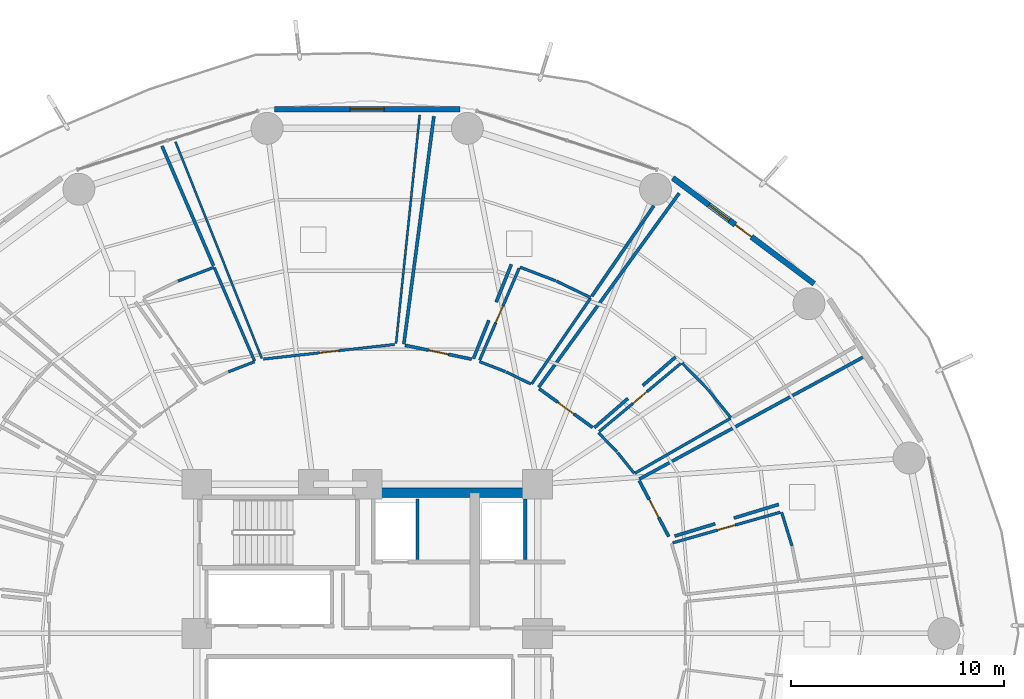
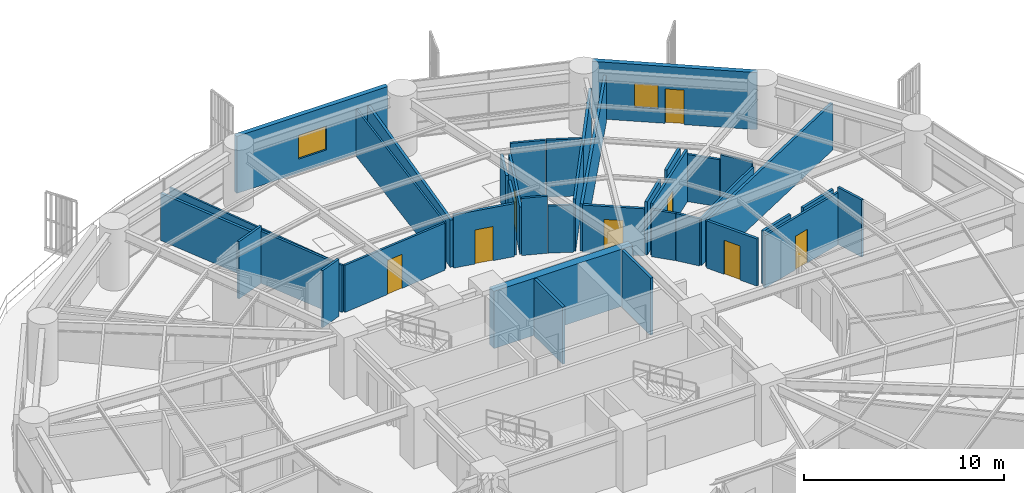
# One storey, part 25 of 32: 39 walls, 8 doors, 2 windows, 10 openings.
"""IFC4 building model written with IfcOpenShell, lengths in metres."""

from ifc_helpers import new_model, si_unit, direction, frame, frame_2d, origin, place, context, subcontext, project, spatial, rectangle, extrude, material, layer, layer_set, type_object, element, fill, save


model = new_model("IFC4")

# Units and contexts
model_context = context("Model", 3, precision=1e-05, world=origin(), true_north=direction((0.0, 1.0)))
body_context = subcontext(model_context, "Body", "Model", "MODEL_VIEW")
ifc_project = project(units=[si_unit("LENGTHUNIT", "METRE"), si_unit("AREAUNIT", "SQUARE_METRE"), si_unit("VOLUMEUNIT", "CUBIC_METRE"), si_unit("PLANEANGLEUNIT", "RADIAN"), si_unit("MASSUNIT", "GRAM", prefix="KILO")], contexts=[model_context])

# Site, building, storey
site_placement = place(None, origin())
site = spatial("IfcSite", under=ifc_project, at=site_placement, CompositionType="ELEMENT")
building_placement = place(site_placement, origin())
building = spatial("IfcBuilding", under=site, at=building_placement, Name="Kelanora Arch Commons", CompositionType="ELEMENT")
storey_placement = place(building_placement, frame((0.0, 0.0, 48.75)))
storey = spatial("IfcBuildingStorey", under=building, at=storey_placement, Name="L12", CompositionType="ELEMENT", Elevation=48.75)

# Walls
ifc_material_1 = material(Name="Autoclaved aerated concrete blockwork with fire plaster", Category="masonry")
ifc_layer_1 = layer(ifc_material_1, 0.14990234375)
ifc_layer_set_1 = layer_set([ifc_layer_1], Name="Autoclaved aerated concrete blockwork with fire plaster")
wall_type_1 = type_object("IfcWallType", Name="W-COMP-150", PredefinedType="PARTITIONING", material=ifc_layer_set_1)
for number, where, z_axis, x_axis, name in (
    (1, (76.360107421875, 61.47998046875, 0.0), (0.0, 0.0, 1.0), (0.0, 1.0, 0.0), "Firefighting Lift 1 East Shaft Wall L12"),
    (2, (81.419921875, 61.47998046875, 0.0), (0.0, 0.0, 1.0), (0.0, 1.0, 0.0), "Firefighting Lift 2 East Shaft Wall L12"),
):
    element("IfcWall", number, at=place(storey_placement, frame(where, z_axis=z_axis, x_axis=x_axis)), inside=storey, type_object=wall_type_1, Name=name, PredefinedType="PARTITIONING", context=body_context, shape_type="SweptSolid", body=[
        extrude(rectangle(XDim=2.840087890625, YDim=0.14990234375, at=frame_2d((1.419921875, 0.0))), origin(), (0.0, 0.0, 1.0), 3.47998046875),
    ])

# Wall, opening, door
wall_1_placement = place(storey_placement, frame((88.161865234375, 62.5458984375, 0.0), z_axis=(0.0, 0.0, 1.0), x_axis=(-0.467566881753, 0.883957697567, 0.0)))
wall_1 = element("IfcWall", 3, at=wall_1_placement, inside=storey, type_object=wall_type_1, Name="Co-Living Studio L12-01 Entry Partition", PredefinedType="PARTITIONING", context=body_context, shape_type="SweptSolid", body=[
    extrude(rectangle(XDim=2.97216796875, YDim=0.14990234375, at=frame_2d((1.486083984375, 0.0))), origin(), (0.0, 0.0, 1.0), 2.875),
])
opening_1_placement = place(wall_1_placement, frame((1.010986328125, 0.0, 0.0)))
opening_1 = element("IfcOpeningElement", 4, at=opening_1_placement, cuts=wall_1, Name="Opening D-CLU1", PredefinedType="OPENING", context=body_context, shape_type="SweptSolid", body=[
    extrude(rectangle(XDim=0.949951171875, YDim=2.080078125, at=frame_2d((0.47509765625, 1.0400390625))), frame((0.0, 0.0849609375, 0.0), z_axis=(0.0, -1.0, 0.0), x_axis=(1.0, 0.0, 0.0)), (0.0, 0.0, 1.0), 0.169921875),
])
ifc_material_2 = material(Name="Solid-core acoustic timber cluster entry fire door", Category="wood")
door_type_1 = type_object("IfcDoorType", Name="D-CLU-95", OperationType="NOTDEFINED", PredefinedType="DOOR", material=ifc_material_2)
door_1_placement = place(opening_1_placement, origin())
door_1 = element("IfcDoor", 5, at=door_1_placement, inside=storey, type_object=door_type_1, Name="Co-Living Studio L12-01 Door", OperationType="SINGLE_SWING_LEFT", OverallHeight=2.080078125, OverallWidth=0.949951171875, PredefinedType="DOOR", context=body_context, shape_type="SweptSolid", body=[
    extrude(rectangle(XDim=0.949951171875, YDim=2.080078125, at=frame_2d((0.47509765625, 1.0400390625))), frame((0.0, 0.02490234375, 0.0), z_axis=(0.0, -1.0, 0.0), x_axis=(1.0, 0.0, 0.0)), (0.0, 0.0, 1.0), 0.050048828125),
])
fill(opening_1, door_1)

wall_2_placement = place(storey_placement, frame((84.58642578125, 67.667236328125, 0.0), z_axis=(0.0, 0.0, 1.0), x_axis=(-0.80951419377, 0.587100306664, 0.0)))
wall_2 = element("IfcWall", 6, at=wall_2_placement, inside=storey, type_object=wall_type_1, Name="Co-Living Studio L12-02 Entry Partition", PredefinedType="PARTITIONING", context=body_context, shape_type="SweptSolid", body=[
    extrude(rectangle(XDim=3.104248046875, YDim=0.14990234375, at=frame_2d((1.55224609375, 0.0))), origin(), (0.0, 0.0, 1.0), 2.875),
])
opening_2_placement = place(wall_2_placement, frame((1.076904296875, 0.0, 0.0)))
opening_2 = element("IfcOpeningElement", 7, at=opening_2_placement, cuts=wall_2, Name="Opening D-CLU1", PredefinedType="OPENING", context=body_context, shape_type="SweptSolid", body=[
    extrude(rectangle(XDim=0.949951171875, YDim=2.080078125, at=frame_2d((0.47509765625, 1.0400390625))), frame((0.0, 0.0849609375, 0.0), z_axis=(0.0, -1.0, 0.0), x_axis=(1.0, 0.0, 0.0)), (0.0, 0.0, 1.0), 0.169921875),
])
door_2_placement = place(opening_2_placement, origin())
door_2 = element("IfcDoor", 8, at=door_2_placement, inside=storey, type_object=door_type_1, Name="Co-Living Studio L12-02 Door", OperationType="SINGLE_SWING_LEFT", OverallHeight=2.080078125, OverallWidth=0.949951171875, PredefinedType="DOOR", context=body_context, shape_type="SweptSolid", body=[
    extrude(rectangle(XDim=0.949951171875, YDim=2.080078125, at=frame_2d((0.47509765625, 1.0400390625))), frame((0.0, 0.02490234375, 0.0), z_axis=(0.0, -1.0, 0.0), x_axis=(1.0, 0.0, 0.0)), (0.0, 0.0, 1.0), 0.050048828125),
])
fill(opening_2, door_2)

wall_3_placement = place(storey_placement, frame((78.914306640625, 70.874267578125, 0.0), z_axis=(0.0, 0.0, 1.0), x_axis=(-0.978952544969, 0.204088007237, 0.0)))
wall_3 = element("IfcWall", 9, at=wall_3_placement, inside=storey, type_object=wall_type_1, Name="Co-Living Studio L12-03 Entry Partition", PredefinedType="PARTITIONING", context=body_context, shape_type="SweptSolid", body=[
    extrude(rectangle(XDim=3.20703125, YDim=0.14990234375, at=frame_2d((1.603515625, 0.0))), origin(), (0.0, 0.0, 1.0), 3.235107421875),
])
opening_3_placement = place(wall_3_placement, frame((1.12890625, 0.0, 0.0)))
opening_3 = element("IfcOpeningElement", 10, at=opening_3_placement, cuts=wall_3, Name="Opening D-CLU1", PredefinedType="OPENING", context=body_context, shape_type="SweptSolid", body=[
    extrude(rectangle(XDim=0.949951171875, YDim=2.080078125, at=frame_2d((0.47509765625, 1.0400390625))), frame((0.0, 0.0849609375, 0.0), z_axis=(0.0, -1.0, 0.0), x_axis=(1.0, 0.0, 0.0)), (0.0, 0.0, 1.0), 0.169921875),
])
door_3_placement = place(opening_3_placement, origin())
door_3 = element("IfcDoor", 11, at=door_3_placement, inside=storey, type_object=door_type_1, Name="Co-Living Studio L12-03 Door", OperationType="SINGLE_SWING_LEFT", OverallHeight=2.080078125, OverallWidth=0.949951171875, PredefinedType="DOOR", context=body_context, shape_type="SweptSolid", body=[
    extrude(rectangle(XDim=0.949951171875, YDim=2.080078125, at=frame_2d((0.47509765625, 1.0400390625))), frame((0.0, 0.02490234375, 0.0), z_axis=(0.0, -1.0, 0.0), x_axis=(1.0, 0.0, 0.0)), (0.0, 0.0, 1.0), 0.050048828125),
])
fill(opening_3, door_3)

# Walls
wall_4_placement = place(storey_placement, frame((86.779052734375, 65.2451171875, 0.0), z_axis=(0.0, 0.0, 1.0), x_axis=(0.878114235828, 0.478451030761, 0.0)))
element("IfcWall", 12, at=wall_4_placement, inside=storey, type_object=wall_type_1, Name="Co-Living Studio L12-01 Enclosure Partition 2", PredefinedType="PARTITIONING", context=body_context, shape_type="SweptSolid", body=[
    extrude(rectangle(XDim=11.9423828125, YDim=0.14990234375, at=frame_2d((5.97119140625, 0.0))), origin(), (0.0, 0.0, 1.0), 2.875),
])
wall_5_placement = place(storey_placement, frame((93.32373046875, 64.055419921875, 0.0), z_axis=(0.0, 0.0, 1.0), x_axis=(-0.956656385618, -0.291219092533, 0.0)))
element("IfcWall", 13, at=wall_5_placement, inside=storey, type_object=wall_type_1, Name="Co-Living Studio L12-01 Enclosure Partition 7", PredefinedType="PARTITIONING", context=body_context, shape_type="SweptSolid", body=[
    extrude(rectangle(XDim=2.197265625, YDim=0.14990234375, at=frame_2d((1.0986328125, 0.0))), origin(), (0.0, 0.0, 1.0), 3.175048828125),
])
wall_6_placement = place(storey_placement, frame((90.34130859375, 63.147705078125, 0.0), z_axis=(0.0, 0.0, 1.0), x_axis=(-0.956672396934, -0.291166490078, 0.0)))
element("IfcWall", 14, at=wall_6_placement, inside=storey, type_object=wall_type_1, Name="Co-Living Studio L12-01 Enclosure Partition 7", PredefinedType="PARTITIONING", context=body_context, shape_type="SweptSolid", body=[
    extrude(rectangle(XDim=1.9931640625, YDim=0.14990234375, at=frame_2d((0.99658203125, 0.0))), origin(), (0.0, 0.0, 1.0), 3.235107421875),
])
wall_7_placement = place(storey_placement, frame((82.048583984375, 69.557373046875, 0.0), z_axis=(0.0, 0.0, 1.0), x_axis=(0.586718941426, 0.809790641939, 0.0)))
element("IfcWall", 15, at=wall_7_placement, inside=storey, type_object=wall_type_1, Name="Co-Living Studio L12-02 Enclosure Partition 2", PredefinedType="PARTITIONING", context=body_context, shape_type="SweptSolid", body=[
    extrude(rectangle(XDim=11.248779296875, YDim=0.14990234375, at=frame_2d((5.62451171875, 0.0))), origin(), (0.0, 0.0, 1.0), 2.875),
])
wall_8_placement = place(storey_placement, frame((88.480712890625, 70.978759765625, 0.0), z_axis=(0.0, 0.0, 1.0), x_axis=(-0.754356172394, -0.656465357176, 0.0)))
element("IfcWall", 16, at=wall_8_placement, inside=storey, type_object=wall_type_1, Name="Co-Living Studio L12-02 Enclosure Partition 7", PredefinedType="PARTITIONING", context=body_context, shape_type="SweptSolid", body=[
    extrude(rectangle(XDim=2.045166015625, YDim=0.14990234375, at=frame_2d((1.0224609375, 0.0))), origin(), (0.0, 0.0, 1.0), 3.175048828125),
])
wall_9_placement = place(storey_placement, frame((86.243896484375, 69.031982421875, 0.0), z_axis=(0.0, 0.0, 1.0), x_axis=(-0.754351792987, -0.656470389597, 0.0)))
element("IfcWall", 17, at=wall_9_placement, inside=storey, type_object=wall_type_1, Name="Co-Living Studio L12-02 Enclosure Partition 7", PredefinedType="PARTITIONING", context=body_context, shape_type="SweptSolid", body=[
    extrude(rectangle(XDim=2.0927734375, YDim=0.14990234375, at=frame_2d((1.04638671875, 0.0))), origin(), (0.0, 0.0, 1.0), 3.235107421875),
])
wall_10_placement = place(storey_placement, frame((75.72119140625, 71.580810546875, 0.0), z_axis=(0.0, 0.0, 1.0), x_axis=(0.130800348515, 0.991408729449, 0.0)))
element("IfcWall", 18, at=wall_10_placement, inside=storey, type_object=wall_type_1, Name="Co-Living Studio L12-03 Enclosure Partition 2", PredefinedType="PARTITIONING", context=body_context, shape_type="SweptSolid", body=[
    extrude(rectangle(XDim=10.792236328125, YDim=0.14990234375, at=frame_2d((5.39599609375, 0.0))), origin(), (0.0, 0.0, 1.0), 2.875),
])
wall_11_placement = place(storey_placement, frame((87.462646484375, 78.082763671875, 0.0), z_axis=(0.0, 0.0, 1.0), x_axis=(-0.565642433627, -0.824650615279, 0.0)))
element("IfcWall", 19, at=wall_11_placement, inside=storey, type_object=wall_type_1, Name="Co-Living Studio L12-03 Enclosure Partition 5", PredefinedType="PARTITIONING", context=body_context, shape_type="SweptSolid", body=[
    extrude(rectangle(XDim=5.156982421875, YDim=0.14990234375, at=frame_2d((2.57861328125, 0.0))), origin(), (0.0, 0.0, 1.0), 2.875),
])
wall_12_placement = place(storey_placement, frame((80.77099609375, 75.329833984375, 0.0), z_axis=(0.0, 0.0, 1.0), x_axis=(-0.373257508911, -0.927727779061, 0.0)))
element("IfcWall", 20, at=wall_12_placement, inside=storey, type_object=wall_type_1, Name="Co-Living Studio L12-03 Enclosure Partition 7", PredefinedType="PARTITIONING", context=body_context, shape_type="SweptSolid", body=[
    extrude(rectangle(XDim=1.915771484375, YDim=0.14990234375, at=frame_2d((0.9580078125, 0.0))), origin(), (0.0, 0.0, 1.0), 2.875),
])
wall_13_placement = place(storey_placement, frame((79.712158203125, 72.69873046875, 0.0), z_axis=(0.0, 0.0, 1.0), x_axis=(-0.373407797427, -0.927667298562, 0.0)))
element("IfcWall", 21, at=wall_13_placement, inside=storey, type_object=wall_type_1, Name="Co-Living Studio L12-03 Enclosure Partition 7", PredefinedType="PARTITIONING", context=body_context, shape_type="SweptSolid", body=[
    extrude(rectangle(XDim=1.93994140625, YDim=0.14990234375, at=frame_2d((0.969970703125, 0.0))), origin(), (0.0, 0.0, 1.0), 3.235107421875),
])
wall_14_placement = place(storey_placement, frame((64.36669921875, 80.88427734375, 0.0), z_axis=(0.0, 0.0, 1.0), x_axis=(0.395282873179, -0.918559442917, 0.0)))
element("IfcWall", 22, at=wall_14_placement, inside=storey, type_object=wall_type_1, Name="Co-Living Studio L12-05 Enclosure Partition 5", PredefinedType="PARTITIONING", context=body_context, shape_type="SweptSolid", body=[
    extrude(rectangle(XDim=6.11328125, YDim=0.14990234375, at=frame_2d((3.056640625, 0.0))), origin(), (0.0, 0.0, 1.0), 2.875),
])
ifc_material_3 = material(Name="Concrete C60/75", Category="concrete")
ifc_layer_2 = layer(ifc_material_3, 0.449951171875)
ifc_layer_set_2 = layer_set([ifc_layer_2], Name="Concrete C60/75")
wall_type_2 = type_object("IfcWallType", Name="W-CORE-450", PredefinedType="SHEAR", material=ifc_layer_set_2)
wall_15_placement = place(storey_placement, frame((74.0, 64.60009765625, 0.0), z_axis=(0.0, 0.0, 1.0), x_axis=(1.0, 0.0, 0.0)))
element("IfcWall", 23, at=wall_15_placement, inside=storey, type_object=wall_type_2, Name="Core Shear Spine L12-CN-E", PredefinedType="SHEAR", context=body_context, shape_type="SweptSolid", body=[
    extrude(rectangle(XDim=8.0, YDim=0.449951171875, at=frame_2d((4.0, 0.0))), origin(), (0.0, 0.0, 1.0), 3.489990234375),
])

# Wall, openings, door, window
ifc_material_4 = material(Name="Precast concrete C40/50 with terracotta rainscreen", Category="masonry")
ifc_layer_3 = layer(ifc_material_4, 0.260009765625)
ifc_layer_set_3 = layer_set([ifc_layer_3], Name="Precast concrete C40/50 with terracotta rainscreen")
wall_type_3 = type_object("IfcWallType", Name="W-EXT-TC", PredefinedType="SOLIDWALL", material=ifc_layer_set_3)
wall_16_placement = place(storey_placement, frame((94.98388671875, 74.418212890625, 0.0), z_axis=(0.0, 0.0, 1.0), x_axis=(-0.80030733173, 0.599590005569, 0.0)))
wall_16 = element("IfcWall", 24, at=wall_16_placement, inside=storey, type_object=wall_type_3, Name="Terracotta Exterior Wall L12-B02", PredefinedType="SOLIDWALL", context=body_context, shape_type="SweptSolid", body=[
    extrude(rectangle(XDim=8.29052734375, YDim=0.260009765625, at=frame_2d((4.145263671875, 0.0))), origin(), (0.0, 0.0, 1.0), 3.47509765625),
])
opening_4_placement = place(wall_16_placement, frame((3.669921875, 0.0, 0.0)))
opening_4 = element("IfcOpeningElement", 25, at=opening_4_placement, cuts=wall_16, Name="Opening DB-01", PredefinedType="OPENING", context=body_context, shape_type="SweptSolid", body=[
    extrude(rectangle(XDim=0.949951171875, YDim=2.10009765625, at=frame_2d((0.47509765625, 1.050048828125))), frame((0.0, 0.14013671875, 0.0), z_axis=(0.0, -1.0, 0.0), x_axis=(1.0, 0.0, 0.0)), (0.0, 0.0, 1.0), 0.280029296875),
])
opening_5_placement = place(wall_16_placement, frame((4.969970703125, 0.0, 0.85009765625)))
opening_5 = element("IfcOpeningElement", 26, at=opening_5_placement, cuts=wall_16, Name="Opening WN-02", PredefinedType="OPENING", context=body_context, shape_type="SweptSolid", body=[
    extrude(rectangle(XDim=1.199951171875, YDim=1.449951171875, at=frame_2d((0.60009765625, 0.72509765625))), frame((0.0, 0.14013671875, 0.0), z_axis=(0.0, -1.0, 0.0), x_axis=(1.0, 0.0, 0.0)), (0.0, 0.0, 1.0), 0.280029296875),
])
ifc_material_5 = material(Name="Terracotta-aluminium thermally broken glazed balcony door", Category="masonry")
door_type_2 = type_object("IfcDoorType", Name="D-BAL-10", OperationType="NOTDEFINED", PredefinedType="DOOR", material=ifc_material_5)
door_4_placement = place(opening_4_placement, frame((0.949951171875, 0.0, 0.0), z_axis=(0.0, 0.0, 1.0), x_axis=(-1.0, 0.0, 0.0)))
door_4 = element("IfcDoor", 27, at=door_4_placement, inside=storey, type_object=door_type_2, Name="Wave Balcony Door L12-B02", OperationType="SINGLE_SWING_LEFT", OverallHeight=2.10009765625, OverallWidth=0.949951171875, PredefinedType="DOOR", context=body_context, shape_type="SweptSolid", body=[
    extrude(rectangle(XDim=0.949951171875, YDim=2.10009765625, at=frame_2d((0.47509765625, 1.050048828125))), frame((0.0, 0.02490234375, 0.0), z_axis=(0.0, -1.0, 0.0), x_axis=(1.0, 0.0, 0.0)), (0.0, 0.0, 1.0), 0.050048828125),
])
fill(opening_4, door_4)
ifc_material_6 = material(Name="Terracotta-anodised aluminium frame with operable awning sash", Category="masonry")
window_type_1 = type_object("IfcWindowType", Name="WIN-CL-12", PartitioningType="SINGLE_PANEL", PredefinedType="WINDOW", material=ifc_material_6)
window_1_placement = place(opening_5_placement, origin())
window_1 = element("IfcWindow", 28, at=window_1_placement, inside=storey, type_object=window_type_1, Name="Co-Living Operable Window L12-B02", OverallHeight=1.449951171875, OverallWidth=1.199951171875, PartitioningType="SINGLE_PANEL", PredefinedType="WINDOW", context=body_context, shape_type="SweptSolid", body=[
    extrude(rectangle(XDim=1.199951171875, YDim=1.449951171875, at=frame_2d((0.60009765625, 0.72509765625))), frame((0.0, 0.030029296875, 0.0), z_axis=(0.0, -1.0, 0.0), x_axis=(1.0, 0.0, 0.0)), (0.0, 0.0, 1.0), 0.06005859375),
])
fill(opening_5, window_1)

# Wall, opening, window
wall_17_placement = place(storey_placement, frame((78.35595703125, 82.6201171875, 0.0), z_axis=(0.0, 0.0, 1.0), x_axis=(-1.0, 0.0, 0.0)))
wall_17 = element("IfcWall", 29, at=wall_17_placement, inside=storey, type_object=wall_type_3, Name="Terracotta Exterior Wall L12-B04", PredefinedType="SOLIDWALL", context=body_context, shape_type="SweptSolid", body=[
    extrude(rectangle(XDim=8.7119140625, YDim=0.260009765625, at=frame_2d((4.35595703125, 0.0))), origin(), (0.0, 0.0, 1.0), 3.47509765625),
])
opening_6_placement = place(wall_17_placement, frame((3.555908203125, 0.0, 0.85009765625)))
opening_6 = element("IfcOpeningElement", 30, at=opening_6_placement, cuts=wall_17, Name="Opening WN-01", PredefinedType="OPENING", context=body_context, shape_type="SweptSolid", body=[
    extrude(rectangle(XDim=1.60009765625, YDim=1.449951171875, at=frame_2d((0.800048828125, 0.72509765625))), frame((0.0, 0.14013671875, 0.0), z_axis=(0.0, -1.0, 0.0), x_axis=(1.0, 0.0, 0.0)), (0.0, 0.0, 1.0), 0.280029296875),
])
ifc_material_7 = material(Name="Terracotta-anodised aluminium frame with operable low-E glazing", Category="masonry")
window_type_2 = type_object("IfcWindowType", Name="WIN-CL-18", PartitioningType="DOUBLE_PANEL_VERTICAL", PredefinedType="WINDOW", material=ifc_material_7)
window_2_placement = place(opening_6_placement, origin())
window_2 = element("IfcWindow", 31, at=window_2_placement, inside=storey, type_object=window_type_2, Name="Co-Living Operable Window L12-B04", OverallHeight=1.449951171875, OverallWidth=1.60009765625, PartitioningType="SINGLE_PANEL", PredefinedType="WINDOW", context=body_context, shape_type="SweptSolid", body=[
    extrude(rectangle(XDim=1.60009765625, YDim=1.449951171875, at=frame_2d((0.800048828125, 0.72509765625))), frame((0.0, 0.030029296875, 0.0), z_axis=(0.0, -1.0, 0.0), x_axis=(1.0, 0.0, 0.0)), (0.0, 0.0, 1.0), 0.06005859375),
])
fill(opening_6, window_2)

# Walls
ifc_material_8 = material(Name="Lightweight fire-rated acoustic stud partition")
ifc_layer_4 = layer(ifc_material_8, 0.10009765625)
ifc_layer_set_4 = layer_set([ifc_layer_4], Name="Lightweight fire-rated acoustic stud partition")
wall_type_4 = type_object("IfcWallType", Name="W-PART-100", PredefinedType="PARTITIONING", material=ifc_layer_set_4)
wall_18_placement = place(storey_placement, frame((69.05322265625, 70.912109375, 0.0), z_axis=(0.0, 0.0, 1.0), x_axis=(-0.370325956987, 0.928901870803, 0.0)))
element("IfcWall", 32, at=wall_18_placement, inside=storey, type_object=wall_type_4, Name="Communal Dining and Social Hall L12-04 Enclosure Partition 2", PredefinedType="PARTITIONING", context=body_context, shape_type="SweptSolid", body=[
    extrude(rectangle(XDim=10.95361328125, YDim=0.10009765625, at=frame_2d((5.476806640625, 0.0))), origin(), (0.0, 0.0, 1.0), 2.875),
])
wall_19_placement = place(storey_placement, frame((76.4658203125, 82.34130859375, 0.0), z_axis=(0.0, 0.0, 1.0), x_axis=(-0.103008831227, -0.994680441493, 0.0)))
element("IfcWall", 33, at=wall_19_placement, inside=storey, type_object=wall_type_4, Name="Communal Dining and Social Hall L12-04 Enclosure Partition 4", PredefinedType="PARTITIONING", context=body_context, shape_type="SweptSolid", body=[
    extrude(rectangle(XDim=10.783935546875, YDim=0.10009765625, at=frame_2d((5.39208984375, 0.0))), origin(), (0.0, 0.0, 1.0), 2.875),
])

# Wall, opening, door
ifc_material_9 = material(Name="Acoustic twin-stud fire-rated gypsum partition")
ifc_layer_5 = layer(ifc_material_9, 0.1201171875)
ifc_layer_set_5 = layer_set([ifc_layer_5], Name="Acoustic twin-stud fire-rated gypsum partition")
wall_type_5 = type_object("IfcWallType", Name="W-PART-120", PredefinedType="PARTITIONING", material=ifc_layer_set_5)
wall_20_placement = place(storey_placement, frame((75.29150390625, 71.568359375, 0.0), z_axis=(0.0, 0.0, 1.0), x_axis=(-0.993850084324, -0.110733959964, 0.0)))
wall_20 = element("IfcWall", 34, at=wall_20_placement, inside=storey, type_object=wall_type_5, Name="Communal Dining and Social Hall L12-04 Entry Partition", PredefinedType="PARTITIONING", context=body_context, shape_type="SweptSolid", body=[
    extrude(rectangle(XDim=6.201904296875, YDim=0.1201171875, at=frame_2d((3.10107421875, 0.0))), origin(), (0.0, 0.0, 1.0), 2.875),
])
opening_7_placement = place(wall_20_placement, frame((2.65087890625, 0.0, 0.0)))
opening_7 = element("IfcOpeningElement", 35, at=opening_7_placement, cuts=wall_20, Name="Opening D-RM1", PredefinedType="OPENING", context=body_context, shape_type="SweptSolid", body=[
    extrude(rectangle(XDim=0.89990234375, YDim=2.080078125, at=frame_2d((0.449951171875, 1.0400390625))), frame((0.0, 0.070068359375, 0.0), z_axis=(0.0, -1.0, 0.0), x_axis=(1.0, 0.0, 0.0)), (0.0, 0.0, 1.0), 0.14013671875),
])
ifc_material_10 = material(Name="Acoustic fire-rated timber study and lounge door", Category="wood")
door_type_3 = type_object("IfcDoorType", Name="D-ROOM-90", OperationType="NOTDEFINED", PredefinedType="DOOR", material=ifc_material_10)
door_5_placement = place(opening_7_placement, origin())
door_5 = element("IfcDoor", 36, at=door_5_placement, inside=storey, type_object=door_type_3, Name="Communal Dining and Social Hall L12-04 Door", OperationType="SINGLE_SWING_RIGHT", OverallHeight=2.080078125, OverallWidth=0.89990234375, PredefinedType="DOOR", context=body_context, shape_type="SweptSolid", body=[
    extrude(rectangle(XDim=0.89990234375, YDim=2.080078125, at=frame_2d((0.449951171875, 1.0400390625))), frame((0.0, 0.02490234375, 0.0), z_axis=(0.0, -1.0, 0.0), x_axis=(1.0, 0.0, 0.0)), (0.0, 0.0, 1.0), 0.050048828125),
])
fill(opening_7, door_5)

ifc_material_11 = material(Name="Moisture-resistant fire-rated cement-board plumbing wall")
ifc_layer_6 = layer(ifc_material_11, 0.1298828125)
ifc_layer_set_6 = layer_set([ifc_layer_6], Name="Moisture-resistant fire-rated cement-board plumbing wall")
wall_type_6 = type_object("IfcWallType", Name="W-WET-120", PredefinedType="PLUMBINGWALL", material=ifc_layer_set_6)
wall_21_placement = place(storey_placement, frame((88.34375, 62.25048828125, 0.0), z_axis=(0.0, 0.0, 1.0), x_axis=(0.961805744602, 0.273732916636, 0.0)))
wall_21 = element("IfcWall", 37, at=wall_21_placement, inside=storey, type_object=wall_type_6, Name="En-Suite Shower WC L12-01 Entry Partition", PredefinedType="PLUMBINGWALL", context=body_context, shape_type="SweptSolid", body=[
    extrude(rectangle(XDim=5.254150390625, YDim=0.1298828125, at=frame_2d((2.626953125, 0.0))), origin(), (0.0, 0.0, 1.0), 3.175048828125),
])
opening_8_placement = place(wall_21_placement, frame((2.197021484375, 0.0, 0.0)))
opening_8 = element("IfcOpeningElement", 38, at=opening_8_placement, cuts=wall_21, Name="Opening D-BT1", PredefinedType="OPENING", context=body_context, shape_type="SweptSolid", body=[
    extrude(rectangle(XDim=0.860107421875, YDim=2.050048828125, at=frame_2d((0.43017578125, 1.02490234375))), frame((0.0, 0.074951171875, 0.0), z_axis=(0.0, -1.0, 0.0), x_axis=(1.0, 0.0, 0.0)), (0.0, 0.0, 1.0), 0.14990234375),
])
ifc_material_12 = material(Name="Moisture-sealed fire-rated accessible bathroom door")
door_type_4 = type_object("IfcDoorType", Name="D-BATH-85", OperationType="NOTDEFINED", PredefinedType="DOOR", material=ifc_material_12)
door_6_placement = place(opening_8_placement, origin())
door_6 = element("IfcDoor", 39, at=door_6_placement, inside=storey, type_object=door_type_4, Name="En-Suite Shower WC L12-01 Door", OperationType="SINGLE_SWING_RIGHT", OverallHeight=2.050048828125, OverallWidth=0.860107421875, PredefinedType="DOOR", context=body_context, shape_type="SweptSolid", body=[
    extrude(rectangle(XDim=0.860107421875, YDim=2.050048828125, at=frame_2d((0.43017578125, 1.02490234375))), frame((0.0, 0.02490234375, 0.0), z_axis=(0.0, -1.0, 0.0), x_axis=(1.0, 0.0, 0.0)), (0.0, 0.0, 1.0), 0.050048828125),
])
fill(opening_8, door_6)

wall_22_placement = place(storey_placement, frame((84.89208984375, 67.474609375, 0.0), z_axis=(0.0, 0.0, 1.0), x_axis=(0.767551433238, 0.64098736129, 0.0)))
wall_22 = element("IfcWall", 40, at=wall_22_placement, inside=storey, type_object=wall_type_6, Name="En-Suite Shower WC L12-02 Entry Partition", PredefinedType="PLUMBINGWALL", context=body_context, shape_type="SweptSolid", body=[
    extrude(rectangle(XDim=4.9921875, YDim=0.1298828125, at=frame_2d((2.49609375, 0.0))), origin(), (0.0, 0.0, 1.0), 3.175048828125),
])
opening_9_placement = place(wall_22_placement, frame((2.06591796875, 0.0, 0.0)))
opening_9 = element("IfcOpeningElement", 41, at=opening_9_placement, cuts=wall_22, Name="Opening D-BT1", PredefinedType="OPENING", context=body_context, shape_type="SweptSolid", body=[
    extrude(rectangle(XDim=0.860107421875, YDim=2.050048828125, at=frame_2d((0.43017578125, 1.02490234375))), frame((0.0, 0.074951171875, 0.0), z_axis=(0.0, -1.0, 0.0), x_axis=(1.0, 0.0, 0.0)), (0.0, 0.0, 1.0), 0.14990234375),
])
door_7_placement = place(opening_9_placement, origin())
door_7 = element("IfcDoor", 42, at=door_7_placement, inside=storey, type_object=door_type_4, Name="En-Suite Shower WC L12-02 Door", OperationType="SINGLE_SWING_RIGHT", OverallHeight=2.050048828125, OverallWidth=0.860107421875, PredefinedType="DOOR", context=body_context, shape_type="SweptSolid", body=[
    extrude(rectangle(XDim=0.860107421875, YDim=2.050048828125, at=frame_2d((0.43017578125, 1.02490234375))), frame((0.0, 0.02490234375, 0.0), z_axis=(0.0, -1.0, 0.0), x_axis=(1.0, 0.0, 0.0)), (0.0, 0.0, 1.0), 0.050048828125),
])
fill(opening_9, door_7)

wall_23_placement = place(storey_placement, frame((79.280517578125, 70.82421875, 0.0), z_axis=(0.0, 0.0, 1.0), x_axis=(0.394194788946, 0.919026913843, 0.0)))
wall_23 = element("IfcWall", 43, at=wall_23_placement, inside=storey, type_object=wall_type_6, Name="En-Suite Shower WC L12-03 Entry Partition", PredefinedType="PLUMBINGWALL", context=body_context, shape_type="SweptSolid", body=[
    extrude(rectangle(XDim=4.705810546875, YDim=0.1298828125, at=frame_2d((2.35302734375, 0.0))), origin(), (0.0, 0.0, 1.0), 2.875),
])
opening_10_placement = place(wall_23_placement, frame((1.923095703125, 0.0, 0.0)))
opening_10 = element("IfcOpeningElement", 44, at=opening_10_placement, cuts=wall_23, Name="Opening D-BT1", PredefinedType="OPENING", context=body_context, shape_type="SweptSolid", body=[
    extrude(rectangle(XDim=0.860107421875, YDim=2.050048828125, at=frame_2d((0.43017578125, 1.02490234375))), frame((0.0, 0.074951171875, 0.0), z_axis=(0.0, -1.0, 0.0), x_axis=(1.0, 0.0, 0.0)), (0.0, 0.0, 1.0), 0.14990234375),
])
door_8_placement = place(opening_10_placement, origin())
door_8 = element("IfcDoor", 45, at=door_8_placement, inside=storey, type_object=door_type_4, Name="En-Suite Shower WC L12-03 Door", OperationType="SINGLE_SWING_RIGHT", OverallHeight=2.050048828125, OverallWidth=0.860107421875, PredefinedType="DOOR", context=body_context, shape_type="SweptSolid", body=[
    extrude(rectangle(XDim=0.860107421875, YDim=2.050048828125, at=frame_2d((0.43017578125, 1.02490234375))), frame((0.0, 0.02490234375, 0.0), z_axis=(0.0, -1.0, 0.0), x_axis=(1.0, 0.0, 0.0)), (0.0, 0.0, 1.0), 0.050048828125),
])
fill(opening_10, door_8)

# Walls
wall_24_placement = place(storey_placement, frame((93.4609375, 63.685791015625, 0.0), z_axis=(0.0, 0.0, 1.0), x_axis=(0.295079059694, -0.955472840289, 0.0)))
element("IfcWall", 46, at=wall_24_placement, inside=storey, type_object=wall_type_6, Name="En-Suite Shower WC L12-01 Enclosure Partition 4", PredefinedType="PLUMBINGWALL", context=body_context, shape_type="SweptSolid", body=[
    extrude(rectangle(XDim=1.640625, YDim=0.1298828125, at=frame_2d((0.8203125, 0.0))), origin(), (0.0, 0.0, 1.0), 3.47998046875),
])
wall_25_placement = place(storey_placement, frame((86.533447265625, 65.521484375, 0.0), z_axis=(0.0, 0.0, 1.0), x_axis=(-0.625509784914, 0.780216321912, 0.0)))
element("IfcWall", 47, at=wall_25_placement, inside=storey, type_object=wall_type_6, Name="En-Suite Shower WC L12-02 Enclosure Partition 1", PredefinedType="PLUMBINGWALL", context=body_context, shape_type="SweptSolid", body=[
    extrude(rectangle(XDim=1.241943359375, YDim=0.1298828125, at=frame_2d((0.62109375, 0.0))), origin(), (0.0, 0.0, 1.0), 2.875),
])
wall_26_placement = place(storey_placement, frame((85.72998046875, 66.5205078125, 0.0), z_axis=(0.0, 0.0, 1.0), x_axis=(-0.694622338853, 0.719374593913, 0.0)))
element("IfcWall", 48, at=wall_26_placement, inside=storey, type_object=wall_type_6, Name="En-Suite Shower WC L12-02 Enclosure Partition 2", PredefinedType="PLUMBINGWALL", context=body_context, shape_type="SweptSolid", body=[
    extrude(rectangle(XDim=1.252685546875, YDim=0.1298828125, at=frame_2d((0.62646484375, 0.0))), origin(), (0.0, 0.0, 1.0), 2.875),
])
wall_27_placement = place(storey_placement, frame((88.783935546875, 70.69873046875, 0.0), z_axis=(0.0, 0.0, 1.0), x_axis=(0.698493231478, -0.715616661055, 0.0)))
element("IfcWall", 49, at=wall_27_placement, inside=storey, type_object=wall_type_6, Name="En-Suite Shower WC L12-02 Enclosure Partition 4", PredefinedType="PLUMBINGWALL", context=body_context, shape_type="SweptSolid", body=[
    extrude(rectangle(XDim=1.7109375, YDim=0.1298828125, at=frame_2d((0.85546875, 0.0))), origin(), (0.0, 0.0, 1.0), 2.875),
])
wall_28_placement = place(storey_placement, frame((90.005615234375, 69.444580078125, 0.0), z_axis=(0.0, 0.0, 1.0), x_axis=(0.629707963092, -0.776831951723, 0.0)))
element("IfcWall", 50, at=wall_28_placement, inside=storey, type_object=wall_type_6, Name="En-Suite Shower WC L12-02 Enclosure Partition 5", PredefinedType="PLUMBINGWALL", context=body_context, shape_type="SweptSolid", body=[
    extrude(rectangle(XDim=1.6943359375, YDim=0.1298828125, at=frame_2d((0.84716796875, 0.0))), origin(), (0.0, 0.0, 1.0), 3.175048828125),
])
wall_29_placement = place(storey_placement, frame((91.067626953125, 68.10302734375, 0.0), z_axis=(0.0, 0.0, 1.0), x_axis=(-0.867165143158, -0.498020696851, 0.0)))
element("IfcWall", 51, at=wall_29_placement, inside=storey, type_object=wall_type_6, Name="En-Suite Shower WC L12-02 Enclosure Partition 6", PredefinedType="PLUMBINGWALL", context=body_context, shape_type="SweptSolid", body=[
    extrude(rectangle(XDim=5.1943359375, YDim=0.1298828125, at=frame_2d((2.59716796875, 0.0))), origin(), (0.0, 0.0, 1.0), 2.875),
])
wall_30_placement = place(storey_placement, frame((81.694091796875, 69.707763671875, 0.0), z_axis=(0.0, 0.0, 1.0), x_axis=(-0.898753964496, 0.43845331713, 0.0)))
element("IfcWall", 52, at=wall_30_placement, inside=storey, type_object=wall_type_6, Name="En-Suite Shower WC L12-03 Enclosure Partition 1", PredefinedType="PLUMBINGWALL", context=body_context, shape_type="SweptSolid", body=[
    extrude(rectangle(XDim=1.29638671875, YDim=0.1298828125, at=frame_2d((0.648193359375, 0.0))), origin(), (0.0, 0.0, 1.0), 2.875),
])
wall_31_placement = place(storey_placement, frame((80.4921875, 70.292236328125, 0.0), z_axis=(0.0, 0.0, 1.0), x_axis=(-0.932939679843, 0.360032712089, 0.0)))
element("IfcWall", 53, at=wall_31_placement, inside=storey, type_object=wall_type_6, Name="En-Suite Shower WC L12-03 Enclosure Partition 2", PredefinedType="PLUMBINGWALL", context=body_context, shape_type="SweptSolid", body=[
    extrude(rectangle(XDim=1.303955078125, YDim=0.1298828125, at=frame_2d((0.65185546875, 0.0))), origin(), (0.0, 0.0, 1.0), 3.47998046875),
])
wall_32_placement = place(storey_placement, frame((81.177734375, 75.197021484375, 0.0), z_axis=(0.0, 0.0, 1.0), x_axis=(0.934026387995, -0.357204012477, 0.0)))
element("IfcWall", 54, at=wall_32_placement, inside=storey, type_object=wall_type_6, Name="En-Suite Shower WC L12-03 Enclosure Partition 4", PredefinedType="PLUMBINGWALL", context=body_context, shape_type="SweptSolid", body=[
    extrude(rectangle(XDim=1.78857421875, YDim=0.1298828125, at=frame_2d((0.894287109375, 0.0))), origin(), (0.0, 0.0, 1.0), 3.47998046875),
])
wall_33_placement = place(storey_placement, frame((82.885009765625, 74.542236328125, 0.0), z_axis=(0.0, 0.0, 1.0), x_axis=(0.900637023717, -0.434572147648, 0.0)))
element("IfcWall", 55, at=wall_33_placement, inside=storey, type_object=wall_type_6, Name="En-Suite Shower WC L12-03 Enclosure Partition 5", PredefinedType="PLUMBINGWALL", context=body_context, shape_type="SweptSolid", body=[
    extrude(rectangle(XDim=1.775390625, YDim=0.1298828125, at=frame_2d((0.8876953125, 0.0))), origin(), (0.0, 0.0, 1.0), 3.47998046875),
])
wall_34_placement = place(storey_placement, frame((84.49072265625, 73.74560546875, 0.0), z_axis=(0.0, 0.0, 1.0), x_axis=(-0.566068810651, -0.824357993597, 0.0)))
element("IfcWall", 56, at=wall_34_placement, inside=storey, type_object=wall_type_6, Name="En-Suite Shower WC L12-03 Enclosure Partition 6", PredefinedType="PLUMBINGWALL", context=body_context, shape_type="SweptSolid", body=[
    extrude(rectangle(XDim=4.888671875, YDim=0.1298828125, at=frame_2d((2.4443359375, 0.0))), origin(), (0.0, 0.0, 1.0), 3.175048828125),
])
wall_35_placement = place(storey_placement, frame((68.703369140625, 70.7548828125, 0.0), z_axis=(0.0, 0.0, 1.0), x_axis=(-0.932299479839, -0.361687268082, 0.0)))
element("IfcWall", 57, at=wall_35_placement, inside=storey, type_object=wall_type_6, Name="En-Suite Shower WC L12-05 Enclosure Partition 1", PredefinedType="PLUMBINGWALL", context=body_context, shape_type="SweptSolid", body=[
    extrude(rectangle(XDim=1.30419921875, YDim=0.1298828125, at=frame_2d((0.652099609375, 0.0))), origin(), (0.0, 0.0, 1.0), 3.47998046875),
])
wall_36_placement = place(storey_placement, frame((65.124755859375, 74.547119140625, 0.0), z_axis=(0.0, 0.0, 1.0), x_axis=(0.93361980904, 0.35826533766, 0.0)))
element("IfcWall", 58, at=wall_36_placement, inside=storey, type_object=wall_type_6, Name="En-Suite Shower WC L12-05 Enclosure Partition 5", PredefinedType="PLUMBINGWALL", context=body_context, shape_type="SweptSolid", body=[
    extrude(rectangle(XDim=1.7880859375, YDim=0.1298828125, at=frame_2d((0.89404296875, 0.0))), origin(), (0.0, 0.0, 1.0), 3.47998046875),
])
wall_37_placement = place(storey_placement, frame((66.82080078125, 75.176513671875, 0.0), z_axis=(0.0, 0.0, 1.0), x_axis=(0.395562338017, -0.918439130668, 0.0)))
element("IfcWall", 59, at=wall_37_placement, inside=storey, type_object=wall_type_6, Name="En-Suite Shower WC L12-05 Enclosure Partition 6", PredefinedType="PLUMBINGWALL", context=body_context, shape_type="SweptSolid", body=[
    extrude(rectangle(XDim=4.786376953125, YDim=0.1298828125, at=frame_2d((2.39306640625, 0.0))), origin(), (0.0, 0.0, 1.0), 3.175048828125),
])

save(model, "model.ifc")
